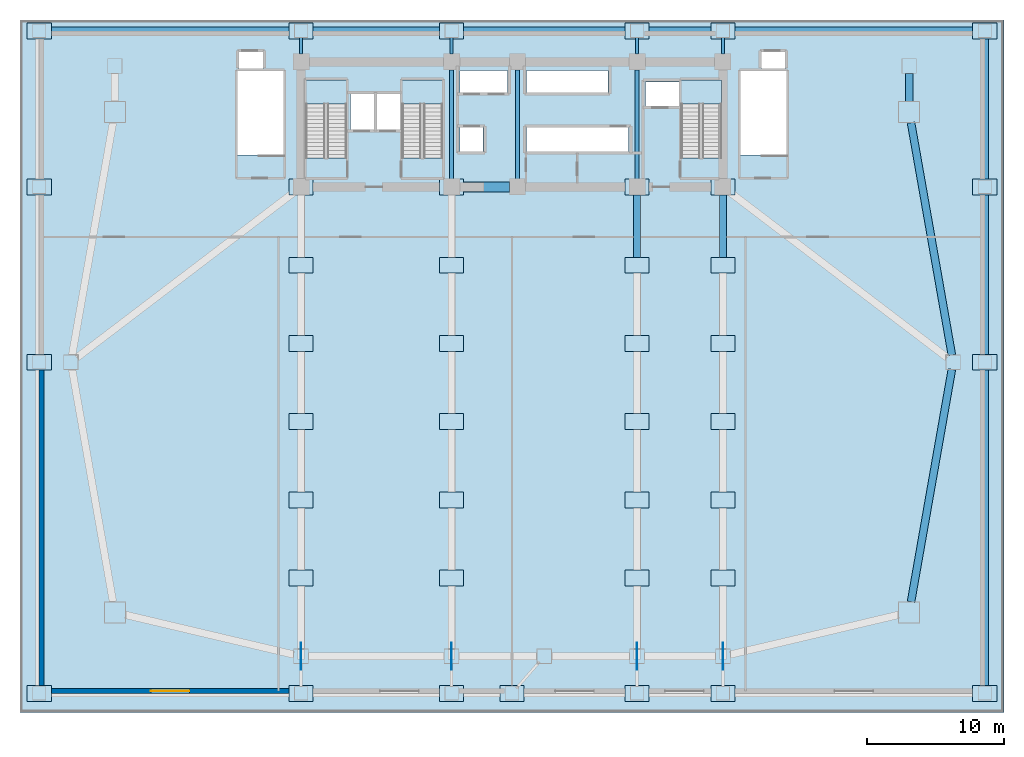
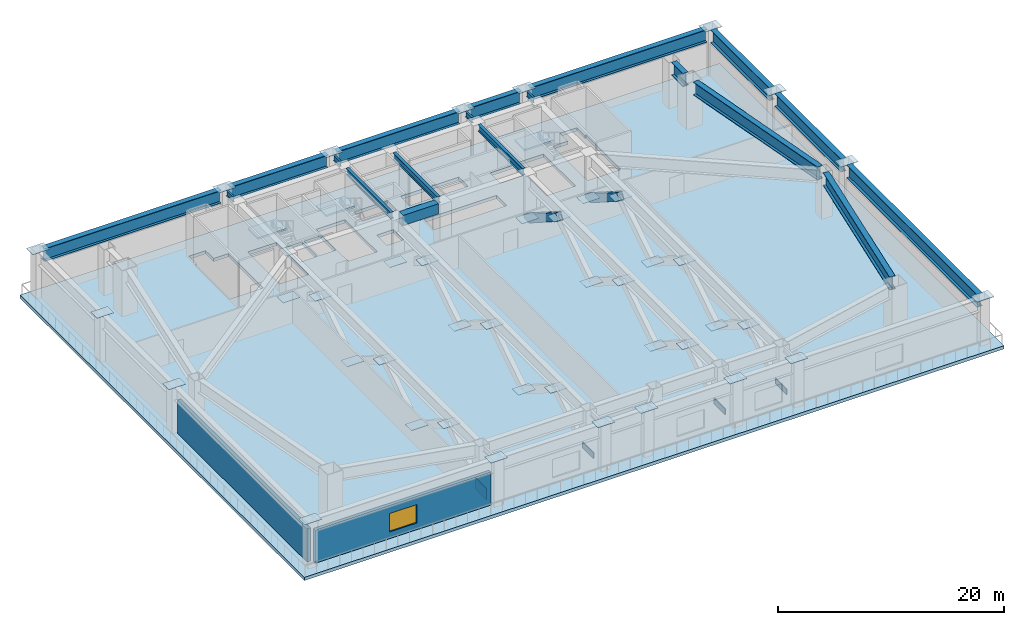
# One storey, part 2 of 8: 45 plates, 19 beams, 4 slabs, 2 members, 2 walls, 1 window, 1 opening, 3 elements without a shape of their own.
"""IFC4 building model written with IfcOpenShell, lengths in metres."""

from ifc_helpers import new_model, si_unit, direction, frame, frame_2d, origin, origin_2d, place, context, subcontext, project, spatial, polyline, rectangle, hollow_rectangle, i_section, outline, extrude, source, transform, mapped, material, layer, layer_set, material_profile, profile_set, type_object, element, fill, aggregate, save


model = new_model("IFC4")

# Units and contexts
model_context = context("Model", 3, precision=1e-05, world=origin(), true_north=direction((0.0, 1.0)))
body_context = subcontext(model_context, "Body", "Model", "MODEL_VIEW")
ifc_project = project(units=[si_unit("LENGTHUNIT", "METRE"), si_unit("AREAUNIT", "SQUARE_METRE"), si_unit("VOLUMEUNIT", "CUBIC_METRE"), si_unit("PLANEANGLEUNIT", "RADIAN"), si_unit("MASSUNIT", "GRAM", prefix="KILO")], contexts=[model_context])

# Site, building, storey
site_placement = place(None, origin())
site = spatial("IfcSite", under=ifc_project, at=site_placement, CompositionType="ELEMENT")
building_placement = place(site_placement, origin())
building = spatial("IfcBuilding", under=site, at=building_placement, Name="Giltprow Tower", CompositionType="ELEMENT")
storey_placement = place(building_placement, frame((0.0, 0.0, 20.199951171875)))
storey = spatial("IfcBuildingStorey", under=building, at=storey_placement, Name="L05", CompositionType="ELEMENT", Elevation=20.199951171875)

# Beams
ifc_material_1 = material(Name="Concrete C60", Category="concrete")
ifc_material_profile_1 = material_profile(ifc_material_1, rectangle(XDim=0.699951171875, YDim=1.10009765625, at=origin_2d()), Name="RC 1100x700")
ifc_profile_set_1 = profile_set([ifc_material_profile_1], Name="Concrete C60")
beam_type_1 = type_object("IfcBeamType", Name="BM-CPL-RC1100", PredefinedType="LINTEL", material=ifc_profile_set_1)
shared_shape_1 = source(origin(), body_context, "Body", "SweptSolid", [
    extrude(rectangle(XDim=0.699951171875, YDim=1.10009765625, at=origin_2d()), origin(), (0.0, 0.0, 1.0), 3.6298828125),
])
beam_1_placement = place(storey_placement, frame((31.385009765625, 37.449951171875, 4.429931640625), z_axis=(1.0, 0.0, 0.0), x_axis=(0.0, 1.0, 0.0)))
element("IfcBeam", 1, at=beam_1_placement, inside=storey, type_object=beam_type_1, Name="L05 Core Coupling Beam CB-1", PredefinedType="LINTEL", context=body_context, shape_type="MappedRepresentation", body=[
    mapped(shared_shape_1, transform((0.0, 0.0, 0.0), x_axis=(1.0, 0.0, 0.0), y_axis=(0.0, 1.0, 0.0), z_axis=(0.0, 0.0, 1.0), scale=1.0)),
])
ifc_material_2 = material(Name="Structural steel Q355B", Category="steel")
ifc_material_profile_2 = material_profile(ifc_material_2, i_section(OverallWidth=0.300048828125, OverallDepth=0.699951171875, WebThickness=0.012939453125, FlangeThickness=0.02392578125, at=origin_2d()), Name="HN 700x300x13x24")
ifc_profile_set_2 = profile_set([ifc_material_profile_2], Name="Structural steel Q355B")
beam_type_2 = type_object("IfcBeamType", Name="BM-GIRD-HN700", PredefinedType="BEAM", material=ifc_profile_set_2)
shared_shape_2 = source(origin(), body_context, "Body", "SweptSolid", [
    extrude(i_section(OverallWidth=0.300048828125, OverallDepth=0.699951171875, WebThickness=0.012939453125, FlangeThickness=0.02392578125, at=origin_2d()), origin(), (0.0, 0.0, 1.0), 7.93017578125),
])
for number, where, z_axis, x_axis, name in (
    (2, (30.800048828125, 38.034912109375, 4.630126953125), (0.0, 1.0, 0.0), (-1.0, 0.0, 0.0), "L05 Core Tie Girder M1"),
    (3, (35.60009765625, 38.034912109375, 4.630126953125), (0.0, 1.0, 0.0), (-1.0, 0.0, 0.0), "L05 Core Tie Girder M2"),
    (4, (44.300048828125, 38.034912109375, 4.630126953125), (0.0, 1.0, 0.0), (-1.0, 0.0, 0.0), "L05 Core Tie Girder M3"),
):
    element("IfcBeam", number, at=place(storey_placement, frame(where, z_axis=z_axis, x_axis=x_axis)), inside=storey, type_object=beam_type_2, Name=name, PredefinedType="BEAM", context=body_context, shape_type="MappedRepresentation", body=[
        mapped(shared_shape_2, transform((0.0, 0.0, 0.0), x_axis=(1.0, 0.0, 0.0), y_axis=(0.0, 1.0, 0.0), z_axis=(0.0, 0.0, 1.0), scale=1.0)),
    ])
ifc_material_profile_3 = material_profile(ifc_material_2, i_section(OverallWidth=0.199951171875, OverallDepth=0.60009765625, WebThickness=0.010986328125, FlangeThickness=0.01708984375, at=origin_2d()), Name="HN 600x200x11x17")
ifc_profile_set_3 = profile_set([ifc_material_profile_3], Name="Structural steel Q355B")
beam_type_3 = type_object("IfcBeamType", Name="BM-GIRD-HN600", PredefinedType="BEAM", material=ifc_profile_set_3)
shared_shape_3 = source(origin(), body_context, "Body", "SweptSolid", [
    extrude(i_section(OverallWidth=0.199951171875, OverallDepth=0.60009765625, WebThickness=0.010986328125, FlangeThickness=0.01708984375, at=origin_2d()), origin(), (0.0, 0.0, 1.0), 1.179931640625),
])
for number, where, z_axis, x_axis, name in (
    (5, (19.85009765625, 47.135009765625, 4.679931640625), (0.0, 1.0, 0.0), (-1.0, 0.0, 0.0), "L05 North Perimeter Tie S1"),
    (6, (30.800048828125, 47.135009765625, 4.679931640625), (0.0, 1.0, 0.0), (-1.0, 0.0, 0.0), "L05 North Perimeter Tie S2"),
    (7, (44.300048828125, 47.135009765625, 4.679931640625), (0.0, 1.0, 0.0), (-1.0, 0.0, 0.0), "L05 North Perimeter Tie S3"),
    (8, (50.550048828125, 47.135009765625, 4.679931640625), (0.0, 1.0, 0.0), (-1.0, 0.0, 0.0), "L05 North Perimeter Tie S4"),
):
    element("IfcBeam", number, at=place(storey_placement, frame(where, z_axis=z_axis, x_axis=x_axis)), inside=storey, type_object=beam_type_3, Name=name, PredefinedType="BEAM", context=body_context, shape_type="MappedRepresentation", body=[
        mapped(shared_shape_3, transform((0.0, 0.0, 0.0), x_axis=(1.0, 0.0, 0.0), y_axis=(0.0, 1.0, 0.0), z_axis=(0.0, 0.0, 1.0), scale=1.0)),
    ])
ifc_material_3 = material(Name="Structural steel Q420GJC", Category="steel")
ifc_material_profile_4 = material_profile(ifc_material_3, i_section(OverallWidth=0.550048828125, OverallDepth=1.39990234375, WebThickness=0.031982421875, FlangeThickness=0.050048828125, at=origin_2d()), Name="WH 1400x550x32x50")
ifc_profile_set_4 = profile_set([ifc_material_profile_4], Name="Structural steel Q420GJC")
beam_type_4 = type_object("IfcBeamType", Name="BM-XFER-WH1400", PredefinedType="BEAM", material=ifc_profile_set_4)
shared_shape_4 = source(origin(), body_context, "Body", "SweptSolid", [
    extrude(i_section(OverallWidth=0.550048828125, OverallDepth=1.39990234375, WebThickness=0.031982421875, FlangeThickness=0.050048828125, at=origin_2d()), origin(), (0.0, 0.0, 1.0), 18.080078125),
])
for number, where, z_axis, x_axis, name in (
    (9, (1.284912109375, 48.800048828125, 4.280029296875), (1.0, 0.0, 0.0), (0.0, 1.0, 0.0), "L05 Podium North Edge Girder"),
    (10, (51.034912109375, 48.800048828125, 4.280029296875), (1.0, 0.0, 0.0), (0.0, 1.0, 0.0), "L05 Podium North Edge Girder"),
):
    element("IfcBeam", number, at=place(storey_placement, frame(where, z_axis=z_axis, x_axis=x_axis)), inside=storey, type_object=beam_type_4, Name=name, PredefinedType="BEAM", context=body_context, shape_type="MappedRepresentation", body=[
        mapped(shared_shape_4, transform((0.0, 0.0, 0.0), x_axis=(1.0, 0.0, 0.0), y_axis=(0.0, 1.0, 0.0), z_axis=(0.0, 0.0, 1.0), scale=1.0)),
    ])
shared_shape_5 = source(origin(), body_context, "Body", "SweptSolid", [
    extrude(i_section(OverallWidth=0.550048828125, OverallDepth=1.39990234375, WebThickness=0.031982421875, FlangeThickness=0.050048828125, at=origin_2d()), origin(), (0.0, 0.0, 1.0), 9.97998046875),
])
beam_2_placement = place(storey_placement, frame((20.3349609375, 48.800048828125, 4.280029296875), z_axis=(1.0, 0.0, 0.0), x_axis=(0.0, 1.0, 0.0)))
element("IfcBeam", 11, at=beam_2_placement, inside=storey, type_object=beam_type_4, Name="L05 Podium North Edge Girder", PredefinedType="BEAM", context=body_context, shape_type="MappedRepresentation", body=[
    mapped(shared_shape_5, transform((0.0, 0.0, 0.0), x_axis=(1.0, 0.0, 0.0), y_axis=(0.0, 1.0, 0.0), z_axis=(0.0, 0.0, 1.0), scale=1.0)),
])
shared_shape_6 = source(origin(), body_context, "Body", "SweptSolid", [
    extrude(i_section(OverallWidth=0.550048828125, OverallDepth=1.39990234375, WebThickness=0.031982421875, FlangeThickness=0.050048828125, at=origin_2d()), origin(), (0.0, 0.0, 1.0), 5.280029296875),
])
beam_3_placement = place(storey_placement, frame((44.784912109375, 48.800048828125, 4.280029296875), z_axis=(1.0, 0.0, 0.0), x_axis=(0.0, 1.0, 0.0)))
element("IfcBeam", 12, at=beam_3_placement, inside=storey, type_object=beam_type_4, Name="L05 Podium North Edge Girder", PredefinedType="BEAM", context=body_context, shape_type="MappedRepresentation", body=[
    mapped(shared_shape_6, transform((0.0, 0.0, 0.0), x_axis=(1.0, 0.0, 0.0), y_axis=(0.0, 1.0, 0.0), z_axis=(0.0, 0.0, 1.0), scale=1.0)),
])
shared_shape_7 = source(origin(), body_context, "Body", "SweptSolid", [
    extrude(i_section(OverallWidth=0.550048828125, OverallDepth=1.39990234375, WebThickness=0.031982421875, FlangeThickness=0.050048828125, at=origin_2d()), origin(), (0.0, 0.0, 1.0), 12.530029296875),
])
beam_4_placement = place(storey_placement, frame((31.284912109375, 48.800048828125, 4.280029296875), z_axis=(1.0, 0.0, 0.0), x_axis=(0.0, 1.0, 0.0)))
element("IfcBeam", 13, at=beam_4_placement, inside=storey, type_object=beam_type_4, Name="L05 Podium North Edge Girder", PredefinedType="BEAM", context=body_context, shape_type="MappedRepresentation", body=[
    mapped(shared_shape_7, transform((0.0, 0.0, 0.0), x_axis=(1.0, 0.0, 0.0), y_axis=(0.0, 1.0, 0.0), z_axis=(0.0, 0.0, 1.0), scale=1.0)),
])
shared_shape_8 = source(origin(), body_context, "Body", "SweptSolid", [
    extrude(i_section(OverallWidth=0.550048828125, OverallDepth=1.39990234375, WebThickness=0.031982421875, FlangeThickness=0.050048828125, at=origin_2d()), origin(), (0.0, 0.0, 1.0), 23.130126953125),
])
beam_5_placement = place(storey_placement, frame((69.60009765625, 1.0849609375, 4.280029296875), z_axis=(0.0, 1.0, 0.0), x_axis=(-1.0, 0.0, 0.0)))
element("IfcBeam", 14, at=beam_5_placement, inside=storey, type_object=beam_type_4, Name="L05 Podium Side Girder", PredefinedType="BEAM", context=body_context, shape_type="MappedRepresentation", body=[
    mapped(shared_shape_8, transform((0.0, 0.0, 0.0), x_axis=(1.0, 0.0, 0.0), y_axis=(0.0, 1.0, 0.0), z_axis=(0.0, 0.0, 1.0), scale=1.0)),
])
shared_shape_9 = source(origin(), body_context, "Body", "SweptSolid", [
    extrude(i_section(OverallWidth=0.550048828125, OverallDepth=1.39990234375, WebThickness=0.031982421875, FlangeThickness=0.050048828125, at=origin_2d()), origin(), (0.0, 0.0, 1.0), 11.780029296875),
])
beam_6_placement = place(storey_placement, frame((69.60009765625, 25.18505859375, 4.280029296875), z_axis=(0.0, 1.0, 0.0), x_axis=(-1.0, 0.0, 0.0)))
element("IfcBeam", 15, at=beam_6_placement, inside=storey, type_object=beam_type_4, Name="L05 Podium Side Girder", PredefinedType="BEAM", context=body_context, shape_type="MappedRepresentation", body=[
    mapped(shared_shape_9, transform((0.0, 0.0, 0.0), x_axis=(1.0, 0.0, 0.0), y_axis=(0.0, 1.0, 0.0), z_axis=(0.0, 0.0, 1.0), scale=1.0)),
])
shared_shape_10 = source(origin(), body_context, "Body", "SweptSolid", [
    extrude(i_section(OverallWidth=0.550048828125, OverallDepth=1.39990234375, WebThickness=0.031982421875, FlangeThickness=0.050048828125, at=origin_2d()), origin(), (0.0, 0.0, 1.0), 10.3798828125),
])
beam_7_placement = place(storey_placement, frame((69.60009765625, 37.93505859375, 4.280029296875), z_axis=(0.0, 1.0, 0.0), x_axis=(-1.0, 0.0, 0.0)))
element("IfcBeam", 16, at=beam_7_placement, inside=storey, type_object=beam_type_4, Name="L05 Podium Side Girder", PredefinedType="BEAM", context=body_context, shape_type="MappedRepresentation", body=[
    mapped(shared_shape_10, transform((0.0, 0.0, 0.0), x_axis=(1.0, 0.0, 0.0), y_axis=(0.0, 1.0, 0.0), z_axis=(0.0, 0.0, 1.0), scale=1.0)),
])
shared_shape_11 = source(origin(), body_context, "Body", "SweptSolid", [
    extrude(i_section(OverallWidth=0.550048828125, OverallDepth=1.39990234375, WebThickness=0.031982421875, FlangeThickness=0.050048828125, at=origin_2d()), origin(), (0.0, 0.0, 1.0), 17.1591796875),
])
beam_8_placement = place(storey_placement, frame((64.236083984375, 7.27294921875, 4.280029296875), z_axis=(0.173139216532, 0.984897360997, 0.0), x_axis=(-0.984897360997, 0.173139216532, 0.0)))
element("IfcBeam", 17, at=beam_8_placement, inside=storey, type_object=beam_type_4, Name="L05 Tower Base Ring Girder 7", PredefinedType="BEAM", context=body_context, shape_type="MappedRepresentation", body=[
    mapped(shared_shape_11, transform((0.0, 0.0, 0.0), x_axis=(1.0, 0.0, 0.0), y_axis=(0.0, 1.0, 0.0), z_axis=(0.0, 0.0, 1.0), scale=1.0)),
])
shared_shape_12 = source(origin(), body_context, "Body", "SweptSolid", [
    extrude(i_section(OverallWidth=0.550048828125, OverallDepth=1.39990234375, WebThickness=0.031982421875, FlangeThickness=0.050048828125, at=origin_2d()), origin(), (0.0, 0.0, 1.0), 17.158935546875),
])
beam_9_placement = place(storey_placement, frame((67.20703125, 25.22705078125, 4.280029296875), z_axis=(-0.173141642767, 0.984896934476, 0.0), x_axis=(-0.984896934476, -0.173141642767, 0.0)))
element("IfcBeam", 18, at=beam_9_placement, inside=storey, type_object=beam_type_4, Name="L05 Tower Base Ring Girder 8", PredefinedType="BEAM", context=body_context, shape_type="MappedRepresentation", body=[
    mapped(shared_shape_12, transform((0.0, 0.0, 0.0), x_axis=(1.0, 0.0, 0.0), y_axis=(0.0, 1.0, 0.0), z_axis=(0.0, 0.0, 1.0), scale=1.0)),
])
shared_shape_13 = source(origin(), body_context, "Body", "SweptSolid", [
    extrude(i_section(OverallWidth=0.550048828125, OverallDepth=1.39990234375, WebThickness=0.031982421875, FlangeThickness=0.050048828125, at=origin_2d()), origin(), (0.0, 0.0, 1.0), 2.030029296875),
])
beam_10_placement = place(storey_placement, frame((64.10009765625, 43.68505859375, 4.280029296875), z_axis=(0.0, 1.0, 0.0), x_axis=(-1.0, 0.0, 0.0)))
element("IfcBeam", 19, at=beam_10_placement, inside=storey, type_object=beam_type_4, Name="L05 Tower Base Ring Girder 9", PredefinedType="BEAM", context=body_context, shape_type="MappedRepresentation", body=[
    mapped(shared_shape_13, transform((0.0, 0.0, 0.0), x_axis=(1.0, 0.0, 0.0), y_axis=(0.0, 1.0, 0.0), z_axis=(0.0, 0.0, 1.0), scale=1.0)),
])

# Members
ifc_material_profile_5 = material_profile(ifc_material_3, hollow_rectangle(XDim=0.5, YDim=0.800048828125, WallThickness=0.035888671875, at=origin_2d()), Name="RHS 800x500x36")
ifc_profile_set_5 = profile_set([ifc_material_profile_5], Name="Structural steel Q420GJC")
member_type = type_object("IfcMemberType", Name="MBR-XFER-RHS800", PredefinedType="CHORD", material=ifc_profile_set_5)
shared_shape_14 = source(origin(), body_context, "Body", "SweptSolid", [
    extrude(hollow_rectangle(XDim=0.5, YDim=0.800048828125, WallThickness=0.035888671875, at=origin_2d()), origin(), (0.0, 0.0, 1.0), 6.75634765625),
])
for number, where, z_axis, x_axis, name in (
    (20, (44.300048828125, 31.758056640625, 3.610107421875), (0.0, 0.84245116742, -0.538772707654), (-1.0, 0.0, 0.0), "L05 Podium Transfer Truss Diagonal S3-6"),
    (21, (50.550048828125, 31.758056640625, 3.610107421875), (0.0, 0.84245116742, -0.538772707654), (-1.0, 0.0, 0.0), "L05 Podium Transfer Truss Diagonal S4-6"),
):
    element("IfcMember", number, at=place(storey_placement, frame(where, z_axis=z_axis, x_axis=x_axis)), inside=storey, type_object=member_type, Name=name, PredefinedType="CHORD", context=body_context, shape_type="MappedRepresentation", body=[
        mapped(shared_shape_14, transform((0.0, 0.0, 0.0), x_axis=(1.0, 0.0, 0.0), y_axis=(0.0, 1.0, 0.0), z_axis=(0.0, 0.0, 1.0), scale=1.0)),
    ])

# Slab
ifc_material_4 = material(Name="Concrete C40", Category="concrete")
ifc_layer_1 = layer(ifc_material_4, 0.35009765625, Name="Concrete C40")
ifc_layer_set_1 = layer_set([ifc_layer_1], Name="Concrete C40")
slab_type_1 = type_object("IfcSlabType", Name="SLB-XFER-350", PredefinedType="FLOOR", material=ifc_layer_set_1)
slab_1_placement = place(storey_placement, frame((0.0, 0.0, -0.349853515625)))
element("IfcSlab", 22, at=slab_1_placement, inside=storey, type_object=slab_type_1, Name="L05 Structural Composite Floor Slab", PredefinedType="FLOOR", context=body_context, shape_type="SweptSolid", body=[
    extrude(outline(polyline([(-0.60009765625, 49.60009765625), (71.0, 49.60009765625), (71.0, -0.800048828125), (-0.60009765625, -0.800048828125), (-0.60009765625, 49.60009765625)]), holes=[polyline([(31.419921875, 41.800048828125), (31.419921875, 40.0), (33.10009765625, 40.0), (33.10009765625, 41.800048828125), (31.419921875, 41.800048828125)]), polyline([(23.159912109375, 39.570068359375), (23.159912109375, 45.25), (20.199951171875, 45.25), (20.199951171875, 39.570068359375), (23.159912109375, 39.570068359375)]), polyline([(30.159912109375, 39.570068359375), (30.159912109375, 45.25), (27.199951171875, 45.25), (27.199951171875, 39.570068359375), (30.159912109375, 39.570068359375)]), polyline([(15.35009765625, 47.300048828125), (15.35009765625, 45.89990234375), (15.199951171875, 45.89990234375), (15.199951171875, 39.77001953125), (18.60009765625, 39.77001953125), (18.60009765625, 45.89990234375), (17.070068359375, 45.89990234375), (17.070068359375, 47.300048828125), (15.35009765625, 47.300048828125)]), polyline([(25.169921875, 41.60009765625), (25.169921875, 44.199951171875), (23.449951171875, 44.199951171875), (23.449951171875, 41.60009765625), (25.169921875, 41.60009765625)]), polyline([(27.10009765625, 41.60009765625), (27.10009765625, 44.199951171875), (25.35009765625, 44.199951171875), (25.35009765625, 41.60009765625), (27.10009765625, 41.60009765625)]), polyline([(43.659912109375, 41.800048828125), (36.239990234375, 41.800048828125), (36.239990234375, 40.0), (43.659912109375, 40.0), (43.659912109375, 41.800048828125)]), polyline([(50.4599609375, 39.570068359375), (50.4599609375, 45.25), (47.5, 45.25), (47.5, 39.570068359375), (50.4599609375, 39.570068359375)]), polyline([(55.199951171875, 39.77001953125), (55.199951171875, 45.89990234375), (55.070068359375, 45.89990234375), (55.070068359375, 47.300048828125), (53.35009765625, 47.300048828125), (53.35009765625, 45.89990234375), (51.800048828125, 45.89990234375), (51.800048828125, 39.77001953125), (55.199951171875, 39.77001953125)]), polyline([(47.3798828125, 43.300048828125), (47.3798828125, 45.10009765625), (44.919921875, 45.10009765625), (44.919921875, 43.300048828125), (47.3798828125, 43.300048828125)]), polyline([(34.8798828125, 44.300048828125), (34.8798828125, 45.919921875), (31.419921875, 45.919921875), (31.419921875, 44.300048828125), (34.8798828125, 44.300048828125)]), polyline([(42.169921875, 44.300048828125), (42.169921875, 45.919921875), (36.239990234375, 45.919921875), (36.239990234375, 44.300048828125), (42.169921875, 44.300048828125)])]), origin(), (0.0, 0.0, 1.0), 0.349853515625),
])

# Stair, slab
stair_type_1 = type_object("IfcStairType", Name="STR-ST-1", PredefinedType="HALF_TURN_STAIR", material=ifc_material_4)
stair_1_placement = place(storey_placement, origin())
stair_1 = element("IfcStair", 23, at=stair_1_placement, inside=storey, type_object=stair_type_1, Name="L05 Core Exit Stair ST-1", PredefinedType="HALF_TURN_STAIR")
ifc_layer_2 = layer(ifc_material_4, 0.179931640625, Name="Concrete C40")
ifc_layer_set_2 = layer_set([ifc_layer_2], Name="Concrete C40")
slab_type_2 = type_object("IfcSlabType", Name="SLD-ST-1", PredefinedType="LANDING", material=ifc_layer_set_2)
slab_2_placement = place(storey_placement, frame((0.0, 0.0, 2.420166015625)))
slab_2 = element("IfcSlab", 24, at=slab_2_placement, type_object=slab_type_2, Name="ST-1 landing 1", PredefinedType="LANDING", context=body_context, shape_type="SweptSolid", body=[
    extrude(outline(polyline([(23.159912109375, 43.469970703125), (23.159912109375, 45.25), (20.199951171875, 45.25), (20.199951171875, 43.469970703125), (23.159912109375, 43.469970703125)])), origin(), (0.0, 0.0, 1.0), 0.179931640625),
])
aggregate(stair_1, [slab_2])

stair_type_2 = type_object("IfcStairType", Name="STR-ST-2", PredefinedType="HALF_TURN_STAIR", material=ifc_material_4)
stair_2_placement = place(storey_placement, origin())
stair_2 = element("IfcStair", 25, at=stair_2_placement, inside=storey, type_object=stair_type_2, Name="L05 Core Exit Stair ST-2", PredefinedType="HALF_TURN_STAIR")
ifc_layer_3 = layer(ifc_material_4, 0.18798828125, Name="Concrete C40")
ifc_layer_set_3 = layer_set([ifc_layer_3], Name="Concrete C40")
slab_type_3 = type_object("IfcSlabType", Name="SLD-ST-2", PredefinedType="LANDING", material=ifc_layer_set_3)
slab_3_placement = place(storey_placement, frame((0.0, 0.0, 2.412109375)))
slab_3 = element("IfcSlab", 26, at=slab_3_placement, type_object=slab_type_3, Name="ST-2 landing 1", PredefinedType="LANDING", context=body_context, shape_type="SweptSolid", body=[
    extrude(outline(polyline([(30.159912109375, 43.469970703125), (30.159912109375, 45.25), (27.199951171875, 45.25), (27.199951171875, 43.469970703125), (30.159912109375, 43.469970703125)])), origin(), (0.0, 0.0, 1.0), 0.18798828125),
])
aggregate(stair_2, [slab_3])

stair_type_3 = type_object("IfcStairType", Name="STR-ST-3", PredefinedType="HALF_TURN_STAIR", material=ifc_material_4)
stair_3_placement = place(storey_placement, origin())
stair_3 = element("IfcStair", 27, at=stair_3_placement, inside=storey, type_object=stair_type_3, Name="L05 Core Exit Stair ST-3", PredefinedType="HALF_TURN_STAIR")
ifc_layer_4 = layer(ifc_material_4, 0.196044921875, Name="Concrete C40")
ifc_layer_set_4 = layer_set([ifc_layer_4], Name="Concrete C40")
slab_type_4 = type_object("IfcSlabType", Name="SLD-ST-3", PredefinedType="LANDING", material=ifc_layer_set_4)
slab_4_placement = place(storey_placement, frame((0.0, 0.0, 2.404052734375)))
slab_4 = element("IfcSlab", 28, at=slab_4_placement, type_object=slab_type_4, Name="ST-3 landing 1", PredefinedType="LANDING", context=body_context, shape_type="SweptSolid", body=[
    extrude(outline(polyline([(50.4599609375, 43.469970703125), (50.4599609375, 45.25), (47.5, 45.25), (47.5, 43.469970703125), (50.4599609375, 43.469970703125)])), origin(), (0.0, 0.0, 1.0), 0.196044921875),
])
aggregate(stair_3, [slab_4])

# Plates
plate_type_1 = type_object("IfcPlateType", Name="PLT-CAP-SEAL-INT", PredefinedType="USERDEFINED", material=ifc_material_3)
shared_shape_15 = source(origin(), body_context, "Body", "SweptSolid", [
    extrude(rectangle(XDim=1.75, YDim=1.14990234375, at=origin_2d()), origin(), (0.0, 0.0, 1.0), 0.0400390625),
])
for number, where, z_axis, x_axis, name in (
    (29, (0.800048828125, 0.60009765625, 4.9599609375), (0.0, 0.0, 1.0), (1.0, 0.0, 0.0), "L05 Podium Column Top Seal Plate (0.8,0.6)"),
    (30, (19.85009765625, 0.60009765625, 4.9599609375), (0.0, 0.0, 1.0), (1.0, 0.0, 0.0), "L05 Podium Column Top Seal Plate (19.9,0.6)"),
    (31, (30.800048828125, 0.60009765625, 4.9599609375), (0.0, 0.0, 1.0), (1.0, 0.0, 0.0), "L05 Podium Column Top Seal Plate (30.8,0.6)"),
    (32, (35.199951171875, 0.60009765625, 4.9599609375), (0.0, 0.0, 1.0), (1.0, 0.0, 0.0), "L05 Podium Column Top Seal Plate (35.2,0.6)"),
    (33, (44.300048828125, 0.60009765625, 4.9599609375), (0.0, 0.0, 1.0), (1.0, 0.0, 0.0), "L05 Podium Column Top Seal Plate (44.3,0.6)"),
    (34, (50.550048828125, 0.60009765625, 4.9599609375), (0.0, 0.0, 1.0), (1.0, 0.0, 0.0), "L05 Podium Column Top Seal Plate (50.5,0.6)"),
    (35, (69.60009765625, 0.60009765625, 4.9599609375), (0.0, 0.0, 1.0), (1.0, 0.0, 0.0), "L05 Podium Column Top Seal Plate (69.6,0.6)"),
    (36, (0.800048828125, 24.699951171875, 4.9599609375), (0.0, 0.0, 1.0), (1.0, 0.0, 0.0), "L05 Podium Column Top Seal Plate (0.8,24.7)"),
    (37, (69.60009765625, 24.699951171875, 4.9599609375), (0.0, 0.0, 1.0), (1.0, 0.0, 0.0), "L05 Podium Column Top Seal Plate (69.6,24.7)"),
    (38, (0.800048828125, 37.449951171875, 4.9599609375), (0.0, 0.0, 1.0), (1.0, 0.0, 0.0), "L05 Podium Column Top Seal Plate (0.8,37.5)"),
    (39, (69.60009765625, 37.449951171875, 4.9599609375), (0.0, 0.0, 1.0), (1.0, 0.0, 0.0), "L05 Podium Column Top Seal Plate (69.6,37.5)"),
    (40, (0.800048828125, 48.800048828125, 4.9599609375), (0.0, 0.0, 1.0), (1.0, 0.0, 0.0), "L05 Podium Column Top Seal Plate (0.8,48.8)"),
    (41, (19.85009765625, 48.800048828125, 4.9599609375), (0.0, 0.0, 1.0), (1.0, 0.0, 0.0), "L05 Podium Column Top Seal Plate (19.9,48.8)"),
    (42, (30.800048828125, 48.800048828125, 4.9599609375), (0.0, 0.0, 1.0), (1.0, 0.0, 0.0), "L05 Podium Column Top Seal Plate (30.8,48.8)"),
    (43, (44.300048828125, 48.800048828125, 4.9599609375), (0.0, 0.0, 1.0), (1.0, 0.0, 0.0), "L05 Podium Column Top Seal Plate (44.3,48.8)"),
    (44, (50.550048828125, 48.800048828125, 4.9599609375), (0.0, 0.0, 1.0), (1.0, 0.0, 0.0), "L05 Podium Column Top Seal Plate (50.5,48.8)"),
    (45, (69.60009765625, 48.800048828125, 4.9599609375), (0.0, 0.0, 1.0), (1.0, 0.0, 0.0), "L05 Podium Column Top Seal Plate (69.6,48.8)"),
    (46, (19.85009765625, 8.991943359375, 3.590087890625), (0.0, 0.0, 1.0), (1.0, 0.0, 0.0), "Transfer Truss End Seal Plate S1-1B"),
    (47, (19.85009765625, 14.68310546875, -0.050048828125), (0.0, 0.0, 1.0), (1.0, 0.0, 0.0), "Transfer Truss End Seal Plate S1-2B"),
    (48, (19.85009765625, 20.375, 3.590087890625), (0.0, 0.0, 1.0), (1.0, 0.0, 0.0), "Transfer Truss End Seal Plate S1-3B"),
    (49, (19.85009765625, 26.06689453125, -0.050048828125), (0.0, 0.0, 1.0), (1.0, 0.0, 0.0), "Transfer Truss End Seal Plate S1-4B"),
    (50, (19.85009765625, 31.758056640625, 3.590087890625), (0.0, 0.0, 1.0), (1.0, 0.0, 0.0), "Transfer Truss End Seal Plate S1-5B"),
    (51, (19.85009765625, 37.449951171875, -0.050048828125), (0.0, 0.0, 1.0), (1.0, 0.0, 0.0), "Transfer Truss End Seal Plate S1-6B"),
    (52, (30.800048828125, 8.991943359375, 3.590087890625), (0.0, 0.0, 1.0), (1.0, 0.0, 0.0), "Transfer Truss End Seal Plate S2-1B"),
    (53, (30.800048828125, 14.68310546875, -0.050048828125), (0.0, 0.0, 1.0), (1.0, 0.0, 0.0), "Transfer Truss End Seal Plate S2-2B"),
    (54, (30.800048828125, 20.375, 3.590087890625), (0.0, 0.0, 1.0), (1.0, 0.0, 0.0), "Transfer Truss End Seal Plate S2-3B"),
    (55, (30.800048828125, 26.06689453125, -0.050048828125), (0.0, 0.0, 1.0), (1.0, 0.0, 0.0), "Transfer Truss End Seal Plate S2-4B"),
    (56, (30.800048828125, 31.758056640625, 3.590087890625), (0.0, 0.0, 1.0), (1.0, 0.0, 0.0), "Transfer Truss End Seal Plate S2-5B"),
    (57, (30.800048828125, 37.449951171875, -0.050048828125), (0.0, 0.0, 1.0), (1.0, 0.0, 0.0), "Transfer Truss End Seal Plate S2-6B"),
    (58, (44.300048828125, 8.991943359375, 3.590087890625), (0.0, 0.0, 1.0), (1.0, 0.0, 0.0), "Transfer Truss End Seal Plate S3-1B"),
    (59, (44.300048828125, 14.68310546875, -0.050048828125), (0.0, 0.0, 1.0), (1.0, 0.0, 0.0), "Transfer Truss End Seal Plate S3-2B"),
    (60, (44.300048828125, 20.375, 3.590087890625), (0.0, 0.0, 1.0), (1.0, 0.0, 0.0), "Transfer Truss End Seal Plate S3-3B"),
    (61, (44.300048828125, 26.06689453125, -0.050048828125), (0.0, 0.0, 1.0), (1.0, 0.0, 0.0), "Transfer Truss End Seal Plate S3-4B"),
    (62, (44.300048828125, 31.758056640625, 3.590087890625), (0.0, 0.0, 1.0), (1.0, 0.0, 0.0), "Transfer Truss End Seal Plate S3-5B"),
    (63, (44.300048828125, 37.449951171875, -0.050048828125), (0.0, 0.0, 1.0), (1.0, 0.0, 0.0), "Transfer Truss End Seal Plate S3-6B"),
    (64, (50.550048828125, 8.991943359375, 3.590087890625), (0.0, 0.0, 1.0), (1.0, 0.0, 0.0), "Transfer Truss End Seal Plate S4-1B"),
    (65, (50.550048828125, 14.68310546875, -0.050048828125), (0.0, 0.0, 1.0), (1.0, 0.0, 0.0), "Transfer Truss End Seal Plate S4-2B"),
    (66, (50.550048828125, 20.375, 3.590087890625), (0.0, 0.0, 1.0), (1.0, 0.0, 0.0), "Transfer Truss End Seal Plate S4-3B"),
    (67, (50.550048828125, 26.06689453125, -0.050048828125), (0.0, 0.0, 1.0), (1.0, 0.0, 0.0), "Transfer Truss End Seal Plate S4-4B"),
    (68, (50.550048828125, 31.758056640625, 3.590087890625), (0.0, 0.0, 1.0), (1.0, 0.0, 0.0), "Transfer Truss End Seal Plate S4-5B"),
    (69, (50.550048828125, 37.449951171875, -0.050048828125), (0.0, 0.0, 1.0), (1.0, 0.0, 0.0), "Transfer Truss End Seal Plate S4-6B"),
):
    element("IfcPlate", number, at=place(storey_placement, frame(where, z_axis=z_axis, x_axis=x_axis)), inside=storey, type_object=plate_type_1, Name=name, ObjectType="SPLICE", PredefinedType="USERDEFINED", context=body_context, shape_type="MappedRepresentation", body=[
        mapped(shared_shape_15, transform((0.0, 0.0, 0.0), x_axis=(1.0, 0.0, 0.0), y_axis=(0.0, 1.0, 0.0), z_axis=(0.0, 0.0, 1.0), scale=1.0)),
    ])
plate_type_2 = type_object("IfcPlateType", Name="PLT-NODE-OTN1", PredefinedType="USERDEFINED", material=ifc_material_3)
shared_shape_16 = source(origin(), body_context, "Body", "SweptSolid", [
    extrude(rectangle(XDim=1.949951171875, YDim=0.054931640625, at=origin_2d()), origin(), (0.0, 0.0, 1.0), 1.25),
])
for number, where, z_axis, x_axis, name in (
    (70, (19.85009765625, 3.300048828125, -0.655029296875), (0.0, 0.0, 1.0), (0.0, 1.0, 0.0), "OTN1 Transfer Truss Node Plate S1-1A"),
    (71, (30.800048828125, 3.300048828125, -0.655029296875), (0.0, 0.0, 1.0), (0.0, 1.0, 0.0), "OTN1 Transfer Truss Node Plate S2-1A"),
    (72, (44.300048828125, 3.300048828125, -0.655029296875), (0.0, 0.0, 1.0), (0.0, 1.0, 0.0), "OTN1 Transfer Truss Node Plate S3-1A"),
    (73, (50.550048828125, 3.300048828125, -0.655029296875), (0.0, 0.0, 1.0), (0.0, 1.0, 0.0), "OTN1 Transfer Truss Node Plate S4-1A"),
):
    element("IfcPlate", number, at=place(storey_placement, frame(where, z_axis=z_axis, x_axis=x_axis)), inside=storey, type_object=plate_type_2, Name=name, ObjectType="GUSSET", PredefinedType="USERDEFINED", context=body_context, shape_type="MappedRepresentation", body=[
        mapped(shared_shape_16, transform((0.0, 0.0, 0.0), x_axis=(1.0, 0.0, 0.0), y_axis=(0.0, 1.0, 0.0), z_axis=(0.0, 0.0, 1.0), scale=1.0)),
    ])

# Wall, opening, window
ifc_material_5 = material(Name="Precast concrete C40", Category="concrete")
ifc_layer_5 = layer(ifc_material_5, 0.360107421875, Name="Precast concrete C40")
ifc_layer_set_5 = layer_set([ifc_layer_5], Name="Precast concrete C40")
wall_type = type_object("IfcWallType", Name="EW-POD-STONE-360", PredefinedType="SOLIDWALL", material=ifc_layer_set_5)
wall_1_placement = place(storey_placement, frame((1.35009765625, 0.780029296875, 0.0), z_axis=(0.0, 0.0, 1.0), x_axis=(1.0, 0.0, 0.0)))
wall_1 = element("IfcWall", 74, at=wall_1_placement, inside=storey, type_object=wall_type, Name="L05 South Podium Masonry Wall 1", PredefinedType="SOLIDWALL", context=body_context, shape_type="SweptSolid", body=[
    extrude(rectangle(XDim=17.949951171875, YDim=0.360107421875, at=frame_2d((8.97509765625, 0.0))), origin(), (0.0, 0.0, 1.0), 3.56005859375),
])
opening_placement = place(wall_1_placement, frame((7.574951171875, 0.0, 0.719970703125)))
opening = element("IfcOpeningElement", 75, at=opening_placement, cuts=wall_1, Name="Opening WN31", PredefinedType="OPENING", context=body_context, shape_type="SweptSolid", body=[
    extrude(rectangle(XDim=2.800048828125, YDim=2.0, at=frame_2d((1.39990234375, 1.0))), frame((0.0, 0.18994140625, 0.0), z_axis=(0.0, -1.0, 0.0), x_axis=(1.0, 0.0, 0.0)), (0.0, 0.0, 1.0), 0.380126953125),
])
ifc_material_6 = material(Name="Insulated glass", Category="glass")
window_type = type_object("IfcWindowType", Name="WN-POD-2800x2000", PartitioningType="SINGLE_PANEL", PredefinedType="WINDOW", material=ifc_material_6)
shared_shape_17 = source(origin(), body_context, "Body", "SweptSolid", [
    extrude(rectangle(XDim=2.800048828125, YDim=2.0, at=frame_2d((1.39990234375, 1.0))), frame((0.0, 0.030029296875, 0.0), z_axis=(0.0, -1.0, 0.0), x_axis=(1.0, 0.0, 0.0)), (0.0, 0.0, 1.0), 0.06005859375),
])
window_placement = place(opening_placement, origin())
window = element("IfcWindow", 76, at=window_placement, inside=storey, type_object=window_type, Name="L05 Podium South Window 1", OverallHeight=2.0, OverallWidth=2.800048828125, PartitioningType="SINGLE_PANEL", PredefinedType="WINDOW", context=body_context, shape_type="MappedRepresentation", body=[
    mapped(shared_shape_17, transform((0.0, 0.0, 0.0), x_axis=(1.0, 0.0, 0.0), y_axis=(0.0, 1.0, 0.0), z_axis=(0.0, 0.0, 1.0), scale=1.0)),
])
fill(opening, window)

# Wall
wall_2_placement = place(storey_placement, frame((0.97998046875, 1.14990234375, 0.0), z_axis=(0.0, 0.0, 1.0), x_axis=(0.0, 1.0, 0.0)))
element("IfcWall", 77, at=wall_2_placement, inside=storey, type_object=wall_type, Name="L05 W Podium Masonry Wall 1", PredefinedType="SOLIDWALL", context=body_context, shape_type="SweptSolid", body=[
    extrude(rectangle(XDim=23.0, YDim=0.360107421875, at=frame_2d((11.5, 0.0))), origin(), (0.0, 0.0, 1.0), 3.56005859375),
])

save(model, "model.ifc")
